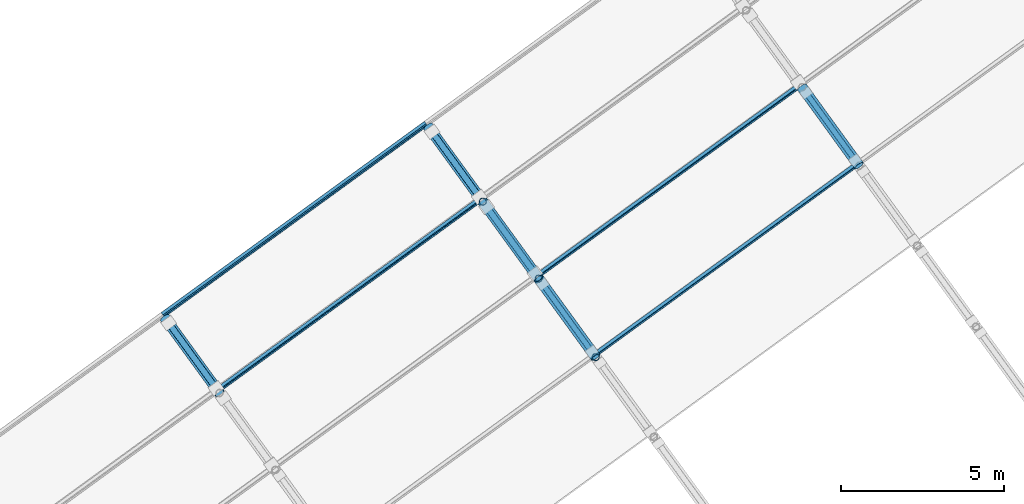
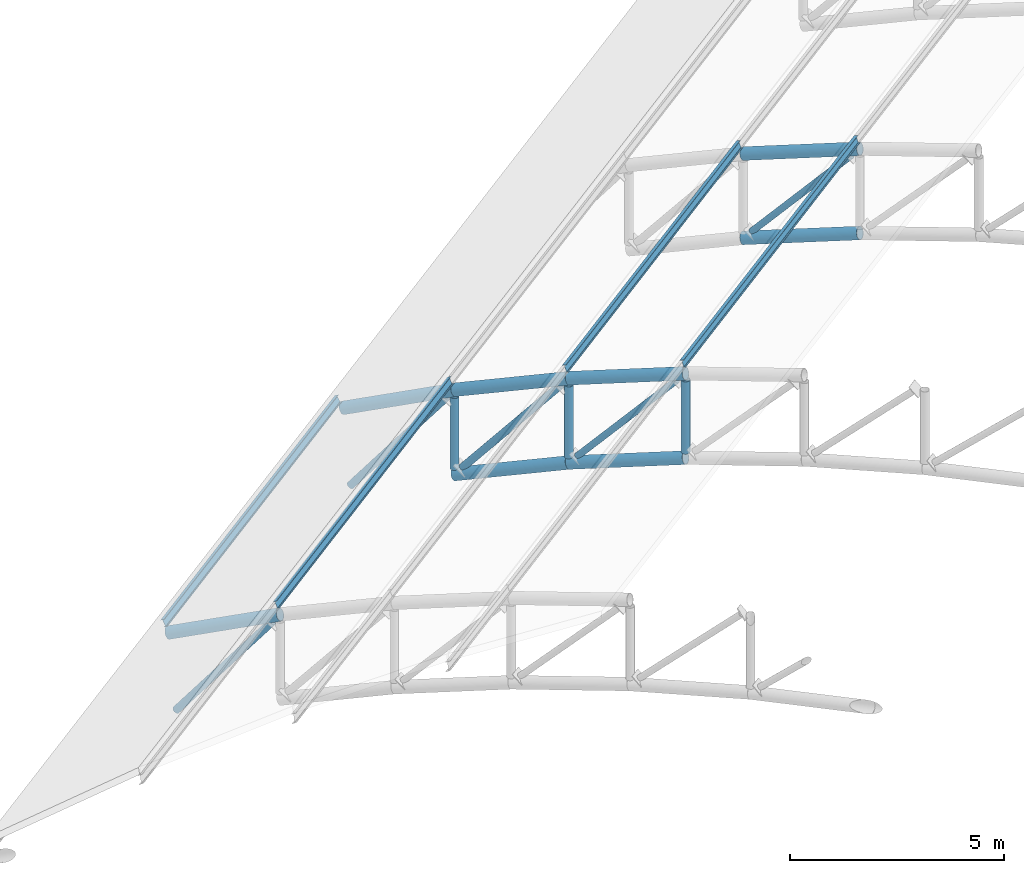
# One storey, part 23 of 69: 16 members, 4 beams.
"""IFC4 building model written with IfcOpenShell, lengths in metres."""

from ifc_helpers import new_model, si_unit, direction, frame, origin, origin_2d, place, context, subcontext, project, spatial, hollow_circle, i_section, extrude, material, material_profile, profile_set, type_object, element, save


model = new_model("IFC4")

# Units and contexts
model_context = context("Model", 3, precision=1e-05, world=origin(), true_north=direction((0.0, 1.0)))
body_context = subcontext(model_context, "Body", "Model", "MODEL_VIEW")
ifc_project = project(units=[si_unit("LENGTHUNIT", "METRE"), si_unit("AREAUNIT", "SQUARE_METRE"), si_unit("VOLUMEUNIT", "CUBIC_METRE"), si_unit("PLANEANGLEUNIT", "RADIAN"), si_unit("MASSUNIT", "GRAM", prefix="KILO")], contexts=[model_context])

# Site, building, storey
site_placement = place(None, origin())
site = spatial("IfcSite", under=ifc_project, at=site_placement, CompositionType="ELEMENT")
building_placement = place(site_placement, origin())
building = spatial("IfcBuilding", under=site, at=building_placement, Name="Okhra Congress Centre", CompositionType="ELEMENT")
storey_placement = place(building_placement, frame((0.0, 0.0, 16.800048828125)))
storey = spatial("IfcBuildingStorey", under=building, at=storey_placement, Name="L03", CompositionType="ELEMENT", Elevation=16.800048828125)

# Members
ifc_material_1 = material(Name="Steel S355J2H", Category="steel")
ifc_material_profile_1 = material_profile(ifc_material_1, hollow_circle(Radius=0.084228515625, WallThickness=0.00634765625, at=origin_2d()), Name="CHS 168.3x6.3")
ifc_profile_set_1 = profile_set([ifc_material_profile_1], Name="Steel S355J2H")
member_type_1 = type_object("IfcMemberType", Name="CHS 168.3x6.3", PredefinedType="BRACE", material=ifc_profile_set_1)
for number, where, z_axis, x_axis, name in (
    (1, (219.393310546875, 204.47314453125, 0.876220703125), (0.388305830606, -0.534492302501, 0.750690722258), (0.809035390265, 0.587759931689, 0.0), "Truss 3 diagonal 15"),
    (2, (227.4833984375, 210.350830078125, 0.876220703125), (0.388319016277, -0.534446918345, 0.750716213405), (0.809002165091, 0.58780566251, 0.0), "Truss 4 diagonal 15"),
):
    element("IfcMember", number, at=place(storey_placement, frame(where, z_axis=z_axis, x_axis=x_axis)), inside=storey, type_object=member_type_1, Name=name, PredefinedType="BRACE", context=body_context, shape_type="SweptSolid", body=[
        extrude(hollow_circle(Radius=0.084228515625, WallThickness=0.00634765625, at=origin_2d()), origin(), (0.0, 0.0, 1.0), 3.8427734375),
    ])
ifc_material_profile_2 = material_profile(ifc_material_1, hollow_circle(Radius=0.096923828125, WallThickness=0.010009765625, at=origin_2d()), Name="CHS 193.7x10")
ifc_profile_set_2 = profile_set([ifc_material_profile_2], Name="Steel S355J2H")
member_type_2 = type_object("IfcMemberType", Name="CHS 193.7x10", PredefinedType="BRACE", material=ifc_profile_set_2)
member_1_placement = place(storey_placement, frame((207.899169921875, 203.2802734375, -1.60595703125), z_axis=(0.356744311991, -0.491020413212, 0.794753074654), x_axis=(0.809019266757, 0.587782124615, 0.0)))
element("IfcMember", 3, at=member_1_placement, inside=storey, type_object=member_type_2, Name="Truss 2 diagonal 17", PredefinedType="BRACE", context=body_context, shape_type="SweptSolid", body=[
    extrude(hollow_circle(Radius=0.096923828125, WallThickness=0.010009765625, at=origin_2d()), origin(), (0.0, 0.0, 1.0), 4.052734375),
])
member_2_placement = place(storey_placement, frame((217.669921875, 206.84521484375, -0.28076171875), z_axis=(0.372698991022, -0.51302445178, 0.773240825336), x_axis=(0.809043308787, 0.587749031907, 0.0)))
element("IfcMember", 4, at=member_2_placement, inside=storey, type_object=member_type_2, Name="Truss 3 diagonal 16", PredefinedType="BRACE", context=body_context, shape_type="SweptSolid", body=[
    extrude(hollow_circle(Radius=0.096923828125, WallThickness=0.010009765625, at=origin_2d()), origin(), (0.0, 0.0, 1.0), 3.95458984375),
])
member_3_placement = place(storey_placement, frame((215.9892578125, 209.158203125, -1.60595703125), z_axis=(0.356733759557, -0.491066127645, 0.794729565998), x_axis=(0.809053553672, 0.587734929446, 0.0)))
element("IfcMember", 5, at=member_3_placement, inside=storey, type_object=member_type_2, Name="Truss 3 diagonal 17", PredefinedType="BRACE", context=body_context, shape_type="SweptSolid", body=[
    extrude(hollow_circle(Radius=0.096923828125, WallThickness=0.010009765625, at=origin_2d()), origin(), (0.0, 0.0, 1.0), 4.052978515625),
])
ifc_material_profile_3 = material_profile(ifc_material_1, hollow_circle(Radius=0.109619140625, WallThickness=0.008056640625, at=origin_2d()), Name="CHS 219.1x8")
ifc_profile_set_3 = profile_set([ifc_material_profile_3], Name="Steel S355J2H")
member_type_3 = type_object("IfcMemberType", Name="CHS 219.1x8", PredefinedType="POST", material=ifc_profile_set_3)
member_4_placement = place(storey_placement, frame((221.017333984375, 202.237548828125, 1.787109375), z_axis=(0.0, 0.0, 1.0), x_axis=(1.0, 0.0, 0.0)))
element("IfcMember", 6, at=member_4_placement, inside=storey, type_object=member_type_3, Name="Truss 3 post 14", PredefinedType="POST", context=body_context, shape_type="SweptSolid", body=[
    extrude(hollow_circle(Radius=0.109619140625, WallThickness=0.008056640625, at=origin_2d()), origin(), (0.0, 0.0, 1.0), 2.057861328125),
])
member_5_placement = place(storey_placement, frame((219.264892578125, 204.64990234375, 0.80224609375), z_axis=(0.0, 0.0, 1.0), x_axis=(1.0, 0.0, 0.0)))
element("IfcMember", 7, at=member_5_placement, inside=storey, type_object=member_type_3, Name="Truss 3 post 15", PredefinedType="POST", context=body_context, shape_type="SweptSolid", body=[
    extrude(hollow_circle(Radius=0.109619140625, WallThickness=0.008056640625, at=origin_2d()), origin(), (0.0, 0.0, 1.0), 2.05126953125),
])
member_6_placement = place(storey_placement, frame((217.548828125, 207.011474609375, -0.353271484375), z_axis=(0.0, 0.0, 1.0), x_axis=(1.0, 0.0, 0.0)))
element("IfcMember", 8, at=member_6_placement, inside=storey, type_object=member_type_3, Name="Truss 3 post 16", PredefinedType="POST", context=body_context, shape_type="SweptSolid", body=[
    extrude(hollow_circle(Radius=0.109619140625, WallThickness=0.008056640625, at=origin_2d()), origin(), (0.0, 0.0, 1.0), 2.043212890625),
])
ifc_material_profile_4 = material_profile(ifc_material_1, hollow_circle(Radius=0.161865234375, WallThickness=0.012451171875, at=origin_2d()), Name="CHS 323.9x12.5")
ifc_profile_set_4 = profile_set([ifc_material_profile_4], Name="Steel S355J2H")
member_type_4 = type_object("IfcMemberType", Name="CHS 323.9x12.5", PredefinedType="CHORD", material=ifc_profile_set_4)
member_7_placement = place(storey_placement, frame((209.458740234375, 201.1337890625, 1.8681640625), z_axis=(-0.532744724434, 0.733204112283, -0.422604766085), x_axis=(-0.808995610274, -0.587814683856, 0.0)))
element("IfcMember", 9, at=member_7_placement, inside=storey, type_object=member_type_4, Name="Truss 2 top chord 17", PredefinedType="CHORD", context=body_context, shape_type="SweptSolid", body=[
    extrude(hollow_circle(Radius=0.161865234375, WallThickness=0.012451171875, at=origin_2d()), origin(), (0.0, 0.0, 1.0), 3.140869140625),
])
for number, where, z_axis, x_axis, name in (
    (10, (221.017333984375, 202.237548828125, 1.615966796875), (-0.557901019194, 0.767988293488, -0.314547983377), (-0.809054633064, -0.587733443592, 0.0), "Truss 3 bottom chord 15"),
    (11, (221.017333984375, 202.237548828125, 4.01611328125), (-0.557901019194, 0.767988293488, -0.314547983377), (-0.809054633064, -0.587733443592, 0.0), "Truss 3 top chord 15"),
    (12, (219.264892578125, 204.64990234375, 0.6279296875), (-0.546319825222, 0.751821264671, -0.369187533049), (-0.80897109308, -0.587848424818, 0.0), "Truss 3 bottom chord 16"),
    (13, (219.264892578125, 204.64990234375, 3.028076171875), (-0.546304147808, 0.751799690105, -0.369254660156), (-0.80897109308, -0.587848424818, 0.0), "Truss 3 top chord 16"),
    (14, (217.548828125, 207.011474609375, 1.8681640625), (-0.532714364208, 0.733240051348, -0.42258068255), (-0.809025240298, -0.587773902586, 0.0), "Truss 3 top chord 17"),
    (15, (229.107666015625, 208.115478515625, 1.615966796875), (-0.557987850895, 0.767923104449, -0.314553117784), (-0.808987408201, -0.587825972012, 0.0), "Truss 4 bottom chord 15"),
    (16, (229.107666015625, 208.115478515625, 4.01611328125), (-0.557987850895, 0.767923104449, -0.314553117784), (-0.808987408201, -0.587825972012, 0.0), "Truss 4 top chord 15"),
):
    element("IfcMember", number, at=place(storey_placement, frame(where, z_axis=z_axis, x_axis=x_axis)), inside=storey, type_object=member_type_4, Name=name, PredefinedType="CHORD", context=body_context, shape_type="SweptSolid", body=[
        extrude(hollow_circle(Radius=0.161865234375, WallThickness=0.012451171875, at=origin_2d()), origin(), (0.0, 0.0, 1.0), 3.14111328125),
    ])

# Beams
ifc_material_2 = material(Name="Steel S355J2", Category="steel")
ifc_material_profile_5 = material_profile(ifc_material_2, i_section(OverallWidth=0.10009765625, OverallDepth=0.199951171875, WebThickness=0.005615234375, FlangeThickness=0.008544921875, FilletRadius=0.011962890625, at=origin_2d()), Name="IPE 200")
ifc_profile_set_5 = profile_set([ifc_material_profile_5], Name="Steel S355J2")
beam_type = type_object("IfcBeamType", Name="IPE 200", PredefinedType="BEAM", material=ifc_profile_set_5)
for number, where, z_axis, x_axis, name in (
    (17, (220.9736328125, 202.297607421875, 4.26416015625), (0.809018924928, 0.587782595105, 0.0), (-0.563089561631, 0.775031645345, -0.286803232717), "Purlin 15.87"),
    (18, (219.212646484375, 204.721435546875, 3.271240234375), (0.809018924928, 0.587782595105, 0.0), (-0.552334967246, 0.760229113831, -0.342020143326), "Purlin 16.93"),
):
    element("IfcBeam", number, at=place(storey_placement, frame(where, z_axis=z_axis, x_axis=x_axis)), inside=storey, type_object=beam_type, Name=name, PredefinedType="BEAM", context=body_context, shape_type="SweptSolid", body=[
        extrude(i_section(OverallWidth=0.10009765625, OverallDepth=0.199951171875, WebThickness=0.005615234375, FlangeThickness=0.008544921875, FilletRadius=0.011962890625, at=origin_2d()), origin(), (0.0, 0.0, 1.0), 10.000244140625),
    ])
beam_1_placement = place(storey_placement, frame((209.3984375, 201.216796875, 2.10595703125), z_axis=(0.809022099746, 0.587778225288, 0.0), x_axis=(-0.539707433735, 0.74285712281, -0.396079766034)))
element("IfcBeam", 19, at=beam_1_placement, inside=storey, type_object=beam_type, Name="Purlin 17.98", PredefinedType="BEAM", context=body_context, shape_type="SweptSolid", body=[
    extrude(i_section(OverallWidth=0.10009765625, OverallDepth=0.199951171875, WebThickness=0.005615234375, FlangeThickness=0.008544921875, FilletRadius=0.011962890625, at=origin_2d()), origin(), (0.0, 0.0, 1.0), 9.999755859375),
])
beam_2_placement = place(storey_placement, frame((207.717041015625, 203.53076171875, 0.772216796875), z_axis=(0.809018924928, 0.587782595105, 0.0), x_axis=(-0.525261712398, 0.722965717953, -0.448799180206)))
element("IfcBeam", 20, at=beam_2_placement, inside=storey, type_object=beam_type, Name="Purlin 18.104", PredefinedType="BEAM", context=body_context, shape_type="SweptSolid", body=[
    extrude(i_section(OverallWidth=0.10009765625, OverallDepth=0.199951171875, WebThickness=0.005615234375, FlangeThickness=0.008544921875, FilletRadius=0.011962890625, at=origin_2d()), origin(), (0.0, 0.0, 1.0), 10.000244140625),
])

save(model, "model.ifc")
